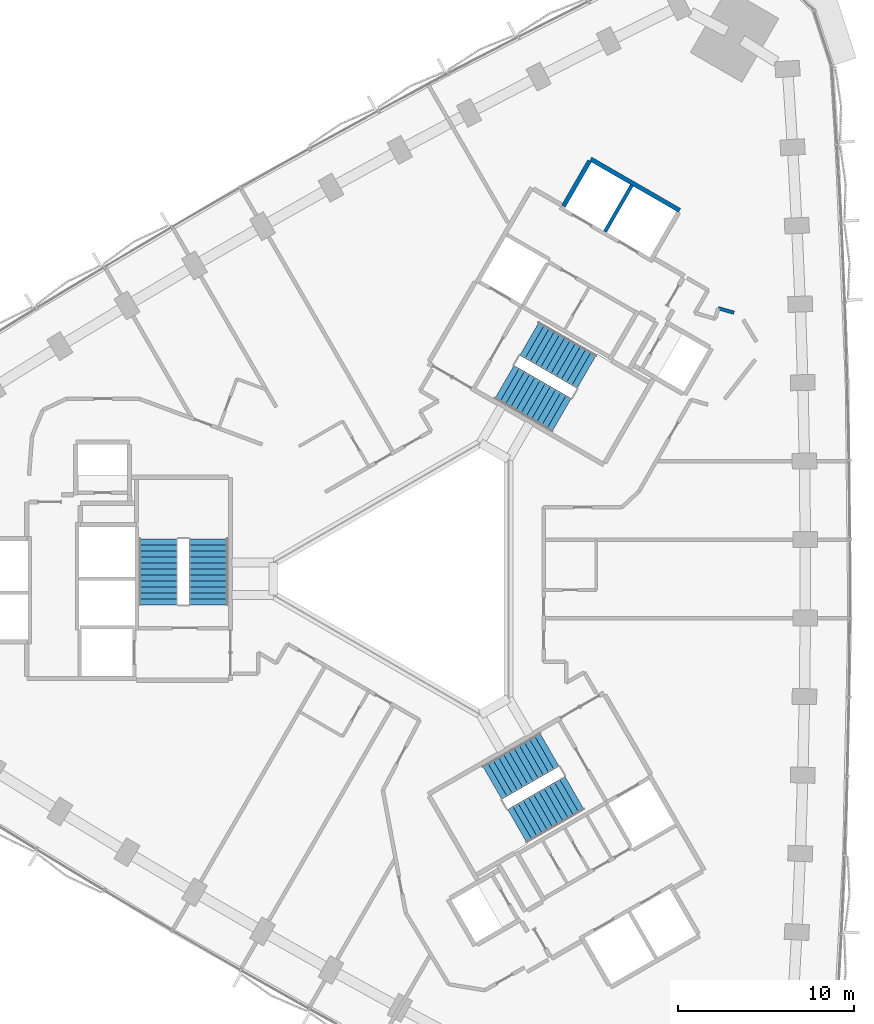
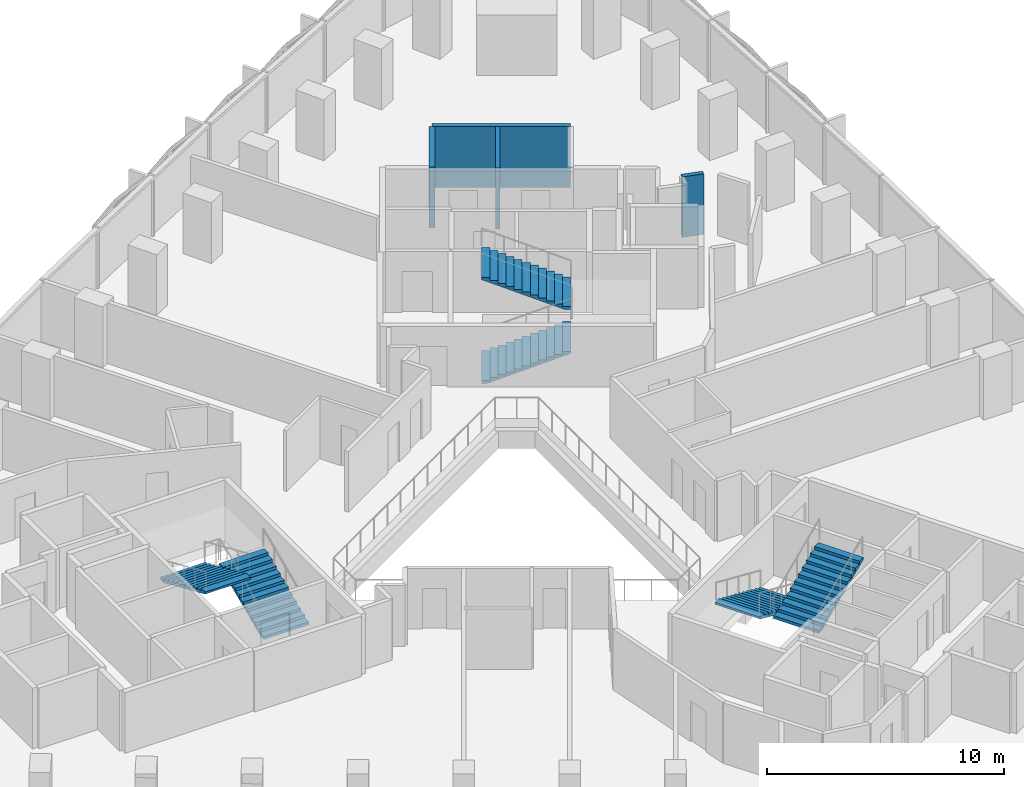
# One storey, part 12 of 15: 6 stair flights, 4 walls, 3 elements without a shape of their own.
"""IFC4 building model written with IfcOpenShell, lengths in metres."""

from ifc_helpers import new_model, si_unit, direction, frame, frame_2d, origin, place, context, subcontext, project, spatial, polyline, rectangle, outline, extrude, material, layer, layer_set, type_object, element, aggregate, save


model = new_model("IFC4")

# Units and contexts
model_context = context("Model", 3, precision=1e-05, world=origin(), true_north=direction((0.0, 1.0)))
body_context = subcontext(model_context, "Body", "Model", "MODEL_VIEW")
ifc_project = project(units=[si_unit("LENGTHUNIT", "METRE"), si_unit("AREAUNIT", "SQUARE_METRE"), si_unit("VOLUMEUNIT", "CUBIC_METRE"), si_unit("PLANEANGLEUNIT", "RADIAN"), si_unit("MASSUNIT", "GRAM", prefix="KILO")], contexts=[model_context])

# Site, building, storey
site_placement = place(None, origin())
site = spatial("IfcSite", under=ifc_project, at=site_placement, CompositionType="ELEMENT")
building_placement = place(site_placement, origin())
building = spatial("IfcBuilding", under=site, at=building_placement, Name="Tamra Quay Hotel Tower", CompositionType="ELEMENT")
storey_placement = place(building_placement, frame((0.0, 0.0, 63.800048828125)))
storey = spatial("IfcBuildingStorey", under=building, at=storey_placement, Name="L14", CompositionType="ELEMENT", Elevation=63.800048828125)

# Walls
ifc_material_1 = material(Name="Concrete M70", Category="concrete")
ifc_layer_1 = layer(ifc_material_1, 0.199951171875)
ifc_layer_set_1 = layer_set([ifc_layer_1], Name="Concrete M70 core wall 200")
wall_type_1 = type_object("IfcWallType", Name="Concrete M70 core wall 200", PredefinedType="SHEAR", material=ifc_layer_set_1)
wall_1_placement = place(storey_placement, frame((10.48876953125, 19.76708984375, 0.0), z_axis=(0.0, 0.0, 1.0), x_axis=(0.499946628782, 0.866056215479, 0.0)))
element("IfcWall", 1, at=wall_1_placement, inside=storey, type_object=wall_type_1, Name="CW2", PredefinedType="SHEAR", context=body_context, shape_type="SweptSolid", body=[
    extrude(rectangle(XDim=3.048095703125, YDim=0.199951171875, at=frame_2d((1.52392578125, 0.0))), origin(), (0.0, 0.0, 1.0), 3.125),
])
ifc_layer_2 = layer(ifc_material_1, 0.25)
ifc_layer_set_2 = layer_set([ifc_layer_2], Name="Concrete M70 core wall 250")
wall_type_2 = type_object("IfcWallType", Name="Concrete M70 core wall 250", PredefinedType="SHEAR", material=ifc_layer_set_2)
wall_2_placement = place(storey_placement, frame((9.672607421875, 23.9033203125, 0.0), z_axis=(0.0, 0.0, 1.0), x_axis=(0.86603616409, -0.499981362141, 0.0)))
element("IfcWall", 2, at=wall_2_placement, inside=storey, type_object=wall_type_2, Name="CW1", PredefinedType="SHEAR", context=body_context, shape_type="SweptSolid", body=[
    extrude(rectangle(XDim=5.849853515625, YDim=0.25, at=frame_2d((2.9248046875, 0.0))), origin(), (0.0, 0.0, 1.0), 3.125),
])
wall_3_placement = place(storey_placement, frame((8.12255859375, 21.21875, 0.0), z_axis=(0.0, 0.0, 1.0), x_axis=(0.499987686533, 0.866032512851, 0.0)))
element("IfcWall", 3, at=wall_3_placement, inside=storey, type_object=wall_type_2, Name="CW1", PredefinedType="SHEAR", context=body_context, shape_type="SweptSolid", body=[
    extrude(rectangle(XDim=2.974609375, YDim=0.25, at=frame_2d((1.4873046875, 0.0))), origin(), (0.0, 0.0, 1.0), 3.125),
])
ifc_material_2 = material(Name="Partition corridor wall")
ifc_layer_3 = layer(ifc_material_2, 0.199951171875)
ifc_layer_set_3 = layer_set([ifc_layer_3], Name="Partition corridor wall")
wall_type_3 = type_object("IfcWallType", Name="Partition corridor wall", PredefinedType="PARTITIONING", material=ifc_layer_set_3)
wall_4_placement = place(storey_placement, frame((16.93505859375, 15.409912109375, 0.0), z_axis=(0.0, 0.0, 1.0), x_axis=(0.961602664273, -0.274445470107, 0.0)))
element("IfcWall", 4, at=wall_4_placement, inside=storey, type_object=wall_type_3, Name="W-C", PredefinedType="PARTITIONING", context=body_context, shape_type="SweptSolid", body=[
    extrude(rectangle(XDim=0.935791015625, YDim=0.199951171875, at=frame_2d((0.4677734375, 0.0))), origin(), (0.0, 0.0, 1.0), 3.125),
])

# Stair, stair flights
ifc_material_3 = material(Name="Exit stair 2200 24 risers 150.0 going 342")
stair_type = type_object("IfcStairType", Name="Exit stair 2200 24 risers 150.0 going 342", PredefinedType="HALF_TURN_STAIR", material=ifc_material_3)
stair_1_placement = place(storey_placement, origin())
stair_1 = element("IfcStair", 5, at=stair_1_placement, inside=storey, type_object=stair_type, Name="L14 Exit stair ST3", PredefinedType="HALF_TURN_STAIR")
ifc_material_4 = material(Name="Exit stair flight 2200 12 risers 150.0")
stair_flight_type = type_object("IfcStairFlightType", Name="Exit stair flight 2200 12 risers 150.0", PredefinedType="STRAIGHT", material=ifc_material_4)
stair_flight_1_placement = place(storey_placement, frame((-12.082275390625, -1.47998046875, 0.0), z_axis=(0.0, 0.0, 1.0), x_axis=(0.0, 1.0, 0.0)))
stair_flight_1 = element("IfcStairFlight", 6, at=stair_flight_1_placement, type_object=stair_flight_type, Name="ST3 flight 1", NumberOfRisers=12, NumberOfTreads=11, PredefinedType="STRAIGHT", RiserHeight=0.15, TreadLength=0.342, context=body_context, shape_type="SweptSolid", body=[
    extrude(outline(polyline([(0.0, 0.0), (0.0, 0.14990234375), (0.342041015625, 0.14990234375), (0.342041015625, 0.300048828125), (0.68408203125, 0.300048828125), (0.68408203125, 0.449951171875), (1.02587890625, 0.449951171875), (1.02587890625, 0.60009765625), (1.367919921875, 0.60009765625), (1.367919921875, 0.75), (1.7099609375, 0.75), (1.7099609375, 0.89990234375), (2.052001953125, 0.89990234375), (2.052001953125, 1.050048828125), (2.39404296875, 1.050048828125), (2.39404296875, 1.199951171875), (2.736083984375, 1.199951171875), (2.736083984375, 1.35009765625), (3.077880859375, 1.35009765625), (3.077880859375, 1.5), (3.419921875, 1.5), (3.419921875, 1.64990234375), (3.761962890625, 1.64990234375), (3.761962890625, 1.800048828125), (3.761962890625, 1.540771484375), (0.249267578125, 0.0), (0.0, 0.0)])), frame((0.0, 1.10009765625, 0.0), z_axis=(0.0, -1.0, 0.0), x_axis=(1.0, 0.0, 0.0)), (0.0, 0.0, 1.0), 2.199951171875),
])
stair_flight_2_placement = place(storey_placement, frame((-14.94140625, 2.281982421875, 1.800048828125), z_axis=(0.0, 0.0, 1.0), x_axis=(0.0, -1.0, 0.0)))
stair_flight_2 = element("IfcStairFlight", 7, at=stair_flight_2_placement, type_object=stair_flight_type, Name="ST3 flight 2", NumberOfRisers=12, NumberOfTreads=11, PredefinedType="STRAIGHT", RiserHeight=0.15, TreadLength=0.342, context=body_context, shape_type="SweptSolid", body=[
    extrude(outline(polyline([(0.0, 0.0), (0.0, 0.14990234375), (0.342041015625, 0.14990234375), (0.342041015625, 0.300048828125), (0.68408203125, 0.300048828125), (0.68408203125, 0.449951171875), (1.02587890625, 0.449951171875), (1.02587890625, 0.60009765625), (1.367919921875, 0.60009765625), (1.367919921875, 0.75), (1.7099609375, 0.75), (1.7099609375, 0.89990234375), (2.052001953125, 0.89990234375), (2.052001953125, 1.050048828125), (2.39404296875, 1.050048828125), (2.39404296875, 1.199951171875), (2.736083984375, 1.199951171875), (2.736083984375, 1.35009765625), (3.077880859375, 1.35009765625), (3.077880859375, 1.5), (3.419921875, 1.5), (3.419921875, 1.64990234375), (3.761962890625, 1.64990234375), (3.761962890625, 1.800048828125), (3.761962890625, 1.540771484375), (0.249267578125, 0.0), (0.0, 0.0)])), frame((0.0, 1.10009765625, 0.0), z_axis=(0.0, -1.0, 0.0), x_axis=(1.0, 0.0, 0.0)), (0.0, 0.0, 1.0), 2.199951171875),
])
aggregate(stair_1, [stair_flight_1, stair_flight_2])

stair_2_placement = place(storey_placement, origin())
stair_2 = element("IfcStair", 8, at=stair_2_placement, inside=storey, type_object=stair_type, Name="L14 Exit stair ST1", PredefinedType="HALF_TURN_STAIR")
stair_flight_3_placement = place(storey_placement, frame((4.75927734375, 11.20361328125, 0.0), z_axis=(0.0, 0.0, 1.0), x_axis=(0.866025403784, -0.5, 0.0)))
stair_flight_3 = element("IfcStairFlight", 9, at=stair_flight_3_placement, type_object=stair_flight_type, Name="ST1 flight 1", NumberOfRisers=12, NumberOfTreads=11, PredefinedType="STRAIGHT", RiserHeight=0.15, TreadLength=0.342, context=body_context, shape_type="SweptSolid", body=[
    extrude(outline(polyline([(0.0, 0.0), (0.0, 0.14990234375), (0.342041015625, 0.14990234375), (0.342041015625, 0.300048828125), (0.68408203125, 0.300048828125), (0.68408203125, 0.449951171875), (1.02587890625, 0.449951171875), (1.02587890625, 0.60009765625), (1.367919921875, 0.60009765625), (1.367919921875, 0.75), (1.7099609375, 0.75), (1.7099609375, 0.89990234375), (2.052001953125, 0.89990234375), (2.052001953125, 1.050048828125), (2.39404296875, 1.050048828125), (2.39404296875, 1.199951171875), (2.736083984375, 1.199951171875), (2.736083984375, 1.35009765625), (3.077880859375, 1.35009765625), (3.077880859375, 1.5), (3.419921875, 1.5), (3.419921875, 1.64990234375), (3.761962890625, 1.64990234375), (3.761962890625, 1.800048828125), (3.761962890625, 1.540771484375), (0.249267578125, 0.0), (0.0, 0.0)])), frame((0.0, 1.10009765625, 0.0), z_axis=(0.0, -1.0, 0.0), x_axis=(1.0, 0.0, 0.0)), (0.0, 0.0, 1.0), 2.199951171875),
])
stair_flight_4_placement = place(storey_placement, frame((9.44677734375, 11.798583984375, 1.800048828125), z_axis=(0.0, 0.0, 1.0), x_axis=(-0.866025403784, 0.5, 0.0)))
stair_flight_4 = element("IfcStairFlight", 10, at=stair_flight_4_placement, type_object=stair_flight_type, Name="ST1 flight 2", NumberOfRisers=12, NumberOfTreads=11, PredefinedType="STRAIGHT", RiserHeight=0.15, TreadLength=0.342, context=body_context, shape_type="SweptSolid", body=[
    extrude(outline(polyline([(0.0, 0.0), (0.0, 0.14990234375), (0.342041015625, 0.14990234375), (0.342041015625, 0.300048828125), (0.68408203125, 0.300048828125), (0.68408203125, 0.449951171875), (1.02587890625, 0.449951171875), (1.02587890625, 0.60009765625), (1.367919921875, 0.60009765625), (1.367919921875, 0.75), (1.7099609375, 0.75), (1.7099609375, 0.89990234375), (2.052001953125, 0.89990234375), (2.052001953125, 1.050048828125), (2.39404296875, 1.050048828125), (2.39404296875, 1.199951171875), (2.736083984375, 1.199951171875), (2.736083984375, 1.35009765625), (3.077880859375, 1.35009765625), (3.077880859375, 1.5), (3.419921875, 1.5), (3.419921875, 1.64990234375), (3.761962890625, 1.64990234375), (3.761962890625, 1.800048828125), (3.761962890625, 1.540771484375), (0.249267578125, 0.0), (0.0, 0.0)])), frame((0.0, 1.10009765625, 0.0), z_axis=(0.0, -1.0, 0.0), x_axis=(1.0, 0.0, 0.0)), (0.0, 0.0, 1.0), 2.199951171875),
])
aggregate(stair_2, [stair_flight_3, stair_flight_4])

stair_3_placement = place(storey_placement, origin())
stair_3 = element("IfcStair", 11, at=stair_3_placement, inside=storey, type_object=stair_type, Name="L14 Exit stair ST2", PredefinedType="HALF_TURN_STAIR")
stair_flight_5_placement = place(storey_placement, frame((7.322998046875, -9.7236328125, 0.0), z_axis=(0.0, 0.0, 1.0), x_axis=(-0.866025403784, -0.5, 0.0)))
stair_flight_5 = element("IfcStairFlight", 12, at=stair_flight_5_placement, type_object=stair_flight_type, Name="ST2 flight 1", NumberOfRisers=12, NumberOfTreads=11, PredefinedType="STRAIGHT", RiserHeight=0.15, TreadLength=0.342, context=body_context, shape_type="SweptSolid", body=[
    extrude(outline(polyline([(0.0, 0.0), (0.0, 0.14990234375), (0.342041015625, 0.14990234375), (0.342041015625, 0.300048828125), (0.68408203125, 0.300048828125), (0.68408203125, 0.449951171875), (1.02587890625, 0.449951171875), (1.02587890625, 0.60009765625), (1.367919921875, 0.60009765625), (1.367919921875, 0.75), (1.7099609375, 0.75), (1.7099609375, 0.89990234375), (2.052001953125, 0.89990234375), (2.052001953125, 1.050048828125), (2.39404296875, 1.050048828125), (2.39404296875, 1.199951171875), (2.736083984375, 1.199951171875), (2.736083984375, 1.35009765625), (3.077880859375, 1.35009765625), (3.077880859375, 1.5), (3.419921875, 1.5), (3.419921875, 1.64990234375), (3.761962890625, 1.64990234375), (3.761962890625, 1.800048828125), (3.761962890625, 1.540771484375), (0.249267578125, 0.0), (0.0, 0.0)])), frame((0.0, 1.10009765625, 0.0), z_axis=(0.0, -1.0, 0.0), x_axis=(1.0, 0.0, 0.0)), (0.0, 0.0, 1.0), 2.199951171875),
])
stair_flight_6_placement = place(storey_placement, frame((5.494384765625, -14.08056640625, 1.800048828125), z_axis=(0.0, 0.0, 1.0), x_axis=(0.866025403784, 0.5, 0.0)))
stair_flight_6 = element("IfcStairFlight", 13, at=stair_flight_6_placement, type_object=stair_flight_type, Name="ST2 flight 2", NumberOfRisers=12, NumberOfTreads=11, PredefinedType="STRAIGHT", RiserHeight=0.15, TreadLength=0.342, context=body_context, shape_type="SweptSolid", body=[
    extrude(outline(polyline([(0.0, 0.0), (0.0, 0.14990234375), (0.342041015625, 0.14990234375), (0.342041015625, 0.300048828125), (0.68408203125, 0.300048828125), (0.68408203125, 0.449951171875), (1.02587890625, 0.449951171875), (1.02587890625, 0.60009765625), (1.367919921875, 0.60009765625), (1.367919921875, 0.75), (1.7099609375, 0.75), (1.7099609375, 0.89990234375), (2.052001953125, 0.89990234375), (2.052001953125, 1.050048828125), (2.39404296875, 1.050048828125), (2.39404296875, 1.199951171875), (2.736083984375, 1.199951171875), (2.736083984375, 1.35009765625), (3.077880859375, 1.35009765625), (3.077880859375, 1.5), (3.419921875, 1.5), (3.419921875, 1.64990234375), (3.761962890625, 1.64990234375), (3.761962890625, 1.800048828125), (3.761962890625, 1.540771484375), (0.249267578125, 0.0), (0.0, 0.0)])), frame((0.0, 1.10009765625, 0.0), z_axis=(0.0, -1.0, 0.0), x_axis=(1.0, 0.0, 0.0)), (0.0, 0.0, 1.0), 2.199951171875),
])
aggregate(stair_3, [stair_flight_5, stair_flight_6])

save(model, "model.ifc")
